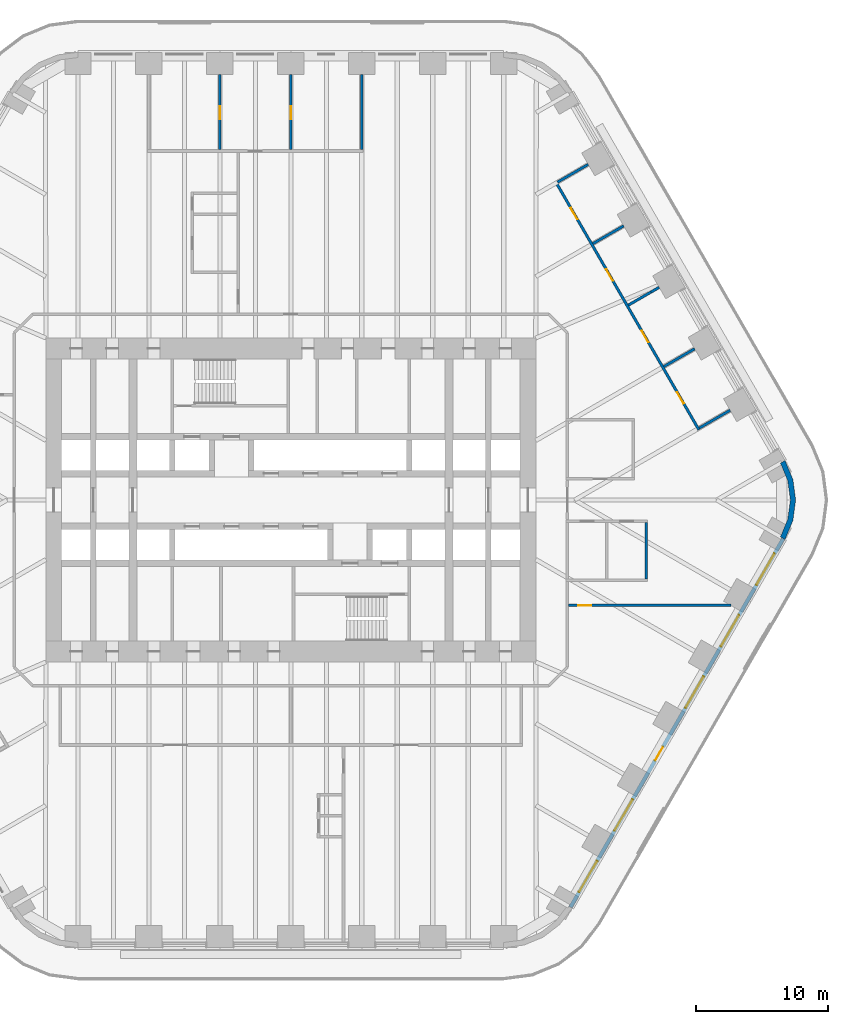
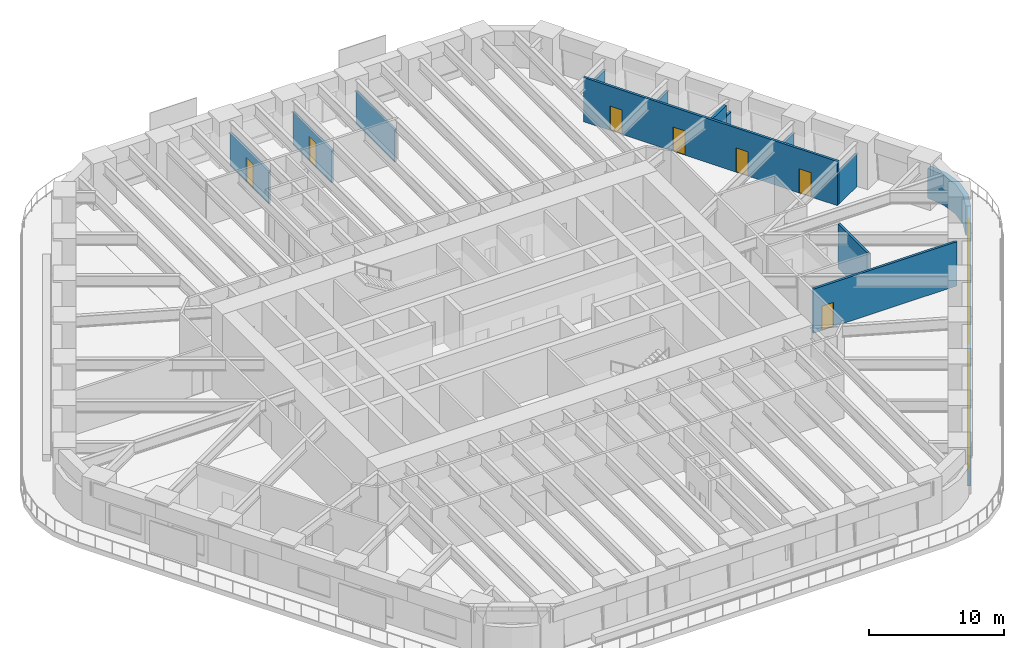
# One storey, part 20 of 24: 14 walls, 8 doors, 5 windows, 13 openings.
"""IFC4 building model written with IfcOpenShell, lengths in metres."""

from ifc_helpers import new_model, si_unit, direction, frame, frame_2d, origin, place, context, subcontext, project, spatial, polyline, rectangle, outline, extrude, material, layer, layer_set, type_object, element, fill, save


model = new_model("IFC4")

# Units and contexts
model_context = context("Model", 3, precision=1e-05, world=origin(), true_north=direction((0.0, 1.0)))
body_context = subcontext(model_context, "Body", "Model", "MODEL_VIEW")
ifc_project = project(units=[si_unit("LENGTHUNIT", "METRE"), si_unit("AREAUNIT", "SQUARE_METRE"), si_unit("VOLUMEUNIT", "CUBIC_METRE"), si_unit("PLANEANGLEUNIT", "RADIAN"), si_unit("MASSUNIT", "GRAM", prefix="KILO")], contexts=[model_context])

# Site, building, storey
site_placement = place(None, origin())
site = spatial("IfcSite", under=ifc_project, at=site_placement, CompositionType="ELEMENT")
building_placement = place(site_placement, origin())
building = spatial("IfcBuilding", under=site, at=building_placement, Name="Tarfa Lantern Tower", CompositionType="ELEMENT")
storey_placement = place(building_placement, frame((0.0, 0.0, 65.5)))
storey = spatial("IfcBuildingStorey", under=building, at=storey_placement, Name="L14", CompositionType="ELEMENT", Elevation=65.5)

# Wall, openings, door, windows
ifc_material_1 = material(Name="Limestone cladding on blockwork", Category="masonry")
ifc_layer_1 = layer(ifc_material_1, 0.300048828125)
ifc_layer_set_1 = layer_set([ifc_layer_1], Name="EW1 STONE-CLAD WALL 300")
wall_type_1 = type_object("IfcWallType", Name="EW1 STONE-CLAD WALL 300", PredefinedType="SOLIDWALL", material=ifc_layer_set_1)
wall_1_placement = place(storey_placement, frame((21.232177734375, -30.925048828125, 0.0), z_axis=(0.0, 0.0, 1.0), x_axis=(0.499999163675, 0.866025886636, 0.0)))
wall_1 = element("IfcWall", 1, at=wall_1_placement, inside=storey, type_object=wall_type_1, Name="Stone wall SE", PredefinedType="SOLIDWALL", context=body_context, shape_type="SweptSolid", body=[
    extrude(rectangle(XDim=32.33154296875, YDim=0.300048828125, at=frame_2d((16.165771484375, 0.0))), origin(), (0.0, 0.0, 1.0), 2.699951171875),
])
opening_1_placement = place(wall_1_placement, frame((1.3193359375, 0.0, 0.60009765625)))
opening_1 = element("IfcOpeningElement", 2, at=opening_1_placement, cuts=wall_1, Name="Opening W2", PredefinedType="OPENING", context=body_context, shape_type="SweptSolid", body=[
    extrude(rectangle(XDim=2.75, YDim=1.85009765625, at=frame_2d((1.375, 0.925048828125))), frame((0.0, 0.159912109375, 0.0), z_axis=(0.0, -1.0, 0.0), x_axis=(1.0, 0.0, 0.0)), (0.0, 0.0, 1.0), 0.320068359375),
])
opening_2_placement = place(wall_1_placement, frame((6.7080078125, 0.0, 0.60009765625)))
opening_2 = element("IfcOpeningElement", 3, at=opening_2_placement, cuts=wall_1, Name="Opening W2", PredefinedType="OPENING", context=body_context, shape_type="SweptSolid", body=[
    extrude(rectangle(XDim=2.75, YDim=1.85009765625, at=frame_2d((1.375, 0.925048828125))), frame((0.0, 0.159912109375, 0.0), z_axis=(0.0, -1.0, 0.0), x_axis=(1.0, 0.0, 0.0)), (0.0, 0.0, 1.0), 0.320068359375),
])
opening_3_placement = place(wall_1_placement, frame((12.87158203125, 0.0, 0.0)))
opening_3 = element("IfcOpeningElement", 4, at=opening_3_placement, cuts=wall_1, Name="Opening D55", PredefinedType="OPENING", context=body_context, shape_type="SweptSolid", body=[
    extrude(rectangle(XDim=1.199951171875, YDim=2.39990234375, at=frame_2d((0.60009765625, 1.199951171875))), frame((0.0, 0.159912109375, 0.0), z_axis=(0.0, -1.0, 0.0), x_axis=(1.0, 0.0, 0.0)), (0.0, 0.0, 1.0), 0.320068359375),
])
opening_4_placement = place(wall_1_placement, frame((17.485107421875, 0.0, 0.60009765625)))
opening_4 = element("IfcOpeningElement", 5, at=opening_4_placement, cuts=wall_1, Name="Opening W2", PredefinedType="OPENING", context=body_context, shape_type="SweptSolid", body=[
    extrude(rectangle(XDim=2.75, YDim=1.85009765625, at=frame_2d((1.375, 0.925048828125))), frame((0.0, 0.159912109375, 0.0), z_axis=(0.0, -1.0, 0.0), x_axis=(1.0, 0.0, 0.0)), (0.0, 0.0, 1.0), 0.320068359375),
])
opening_5_placement = place(wall_1_placement, frame((22.873779296875, 0.0, 0.60009765625)))
opening_5 = element("IfcOpeningElement", 6, at=opening_5_placement, cuts=wall_1, Name="Opening W2", PredefinedType="OPENING", context=body_context, shape_type="SweptSolid", body=[
    extrude(rectangle(XDim=2.75, YDim=1.85009765625, at=frame_2d((1.375, 0.925048828125))), frame((0.0, 0.159912109375, 0.0), z_axis=(0.0, -1.0, 0.0), x_axis=(1.0, 0.0, 0.0)), (0.0, 0.0, 1.0), 0.320068359375),
])
opening_6_placement = place(wall_1_placement, frame((28.26220703125, 0.0, 0.60009765625)))
opening_6 = element("IfcOpeningElement", 7, at=opening_6_placement, cuts=wall_1, Name="Opening W2", PredefinedType="OPENING", context=body_context, shape_type="SweptSolid", body=[
    extrude(rectangle(XDim=2.75, YDim=1.85009765625, at=frame_2d((1.375, 0.925048828125))), frame((0.0, 0.159912109375, 0.0), z_axis=(0.0, -1.0, 0.0), x_axis=(1.0, 0.0, 0.0)), (0.0, 0.0, 1.0), 0.320068359375),
])
ifc_material_2 = material(Name="Aluminium framed glazed door", Category="aluminium")
door_type_1 = type_object("IfcDoorType", Name="BE3 BALCONY DOOR 1200x2400", OperationType="SINGLE_SWING_RIGHT", PredefinedType="DOOR", material=ifc_material_2)
door_1_placement = place(opening_3_placement, origin())
door_1 = element("IfcDoor", 8, at=door_1_placement, inside=storey, type_object=door_type_1, Name="Balcony door SE", OperationType="SINGLE_SWING_RIGHT", OverallHeight=2.39990234375, OverallWidth=1.199951171875, PredefinedType="DOOR", context=body_context, shape_type="SweptSolid", body=[
    extrude(rectangle(XDim=1.199951171875, YDim=2.39990234375, at=frame_2d((0.60009765625, 1.199951171875))), frame((0.0, 0.02490234375, 0.0), z_axis=(0.0, -1.0, 0.0), x_axis=(1.0, 0.0, 0.0)), (0.0, 0.0, 1.0), 0.050048828125),
])
fill(opening_3, door_1)
ifc_material_3 = material(Name="Aluminium frame, double glazed", Category="aluminium")
window_type = type_object("IfcWindowType", Name="W2 FULL-HEIGHT GLAZING 2750x1850", PartitioningType="SINGLE_PANEL", PredefinedType="WINDOW", material=ifc_material_3)
window_1_placement = place(opening_1_placement, origin())
window_1 = element("IfcWindow", 9, at=window_1_placement, inside=storey, type_object=window_type, Name="Window SE 1", OverallHeight=1.85009765625, OverallWidth=2.75, PartitioningType="SINGLE_PANEL", PredefinedType="WINDOW", context=body_context, shape_type="SweptSolid", body=[
    extrude(rectangle(XDim=2.75, YDim=1.85009765625, at=frame_2d((1.375, 0.925048828125))), frame((0.0, 0.030029296875, 0.0), z_axis=(0.0, -1.0, 0.0), x_axis=(1.0, 0.0, 0.0)), (0.0, 0.0, 1.0), 0.06005859375),
])
fill(opening_1, window_1)
window_2_placement = place(opening_2_placement, origin())
window_2 = element("IfcWindow", 10, at=window_2_placement, inside=storey, type_object=window_type, Name="Window SE 2", OverallHeight=1.85009765625, OverallWidth=2.75, PartitioningType="SINGLE_PANEL", PredefinedType="WINDOW", context=body_context, shape_type="SweptSolid", body=[
    extrude(rectangle(XDim=2.75, YDim=1.85009765625, at=frame_2d((1.375, 0.925048828125))), frame((0.0, 0.030029296875, 0.0), z_axis=(0.0, -1.0, 0.0), x_axis=(1.0, 0.0, 0.0)), (0.0, 0.0, 1.0), 0.06005859375),
])
fill(opening_2, window_2)
window_3_placement = place(opening_4_placement, origin())
window_3 = element("IfcWindow", 11, at=window_3_placement, inside=storey, type_object=window_type, Name="Window SE 4", OverallHeight=1.85009765625, OverallWidth=2.75, PartitioningType="SINGLE_PANEL", PredefinedType="WINDOW", context=body_context, shape_type="SweptSolid", body=[
    extrude(rectangle(XDim=2.75, YDim=1.85009765625, at=frame_2d((1.375, 0.925048828125))), frame((0.0, 0.030029296875, 0.0), z_axis=(0.0, -1.0, 0.0), x_axis=(1.0, 0.0, 0.0)), (0.0, 0.0, 1.0), 0.06005859375),
])
fill(opening_4, window_3)
window_4_placement = place(opening_5_placement, origin())
window_4 = element("IfcWindow", 12, at=window_4_placement, inside=storey, type_object=window_type, Name="Window SE 5", OverallHeight=1.85009765625, OverallWidth=2.75, PartitioningType="SINGLE_PANEL", PredefinedType="WINDOW", context=body_context, shape_type="SweptSolid", body=[
    extrude(rectangle(XDim=2.75, YDim=1.85009765625, at=frame_2d((1.375, 0.925048828125))), frame((0.0, 0.030029296875, 0.0), z_axis=(0.0, -1.0, 0.0), x_axis=(1.0, 0.0, 0.0)), (0.0, 0.0, 1.0), 0.06005859375),
])
fill(opening_5, window_4)
window_5_placement = place(opening_6_placement, origin())
window_5 = element("IfcWindow", 13, at=window_5_placement, inside=storey, type_object=window_type, Name="Window SE 6", OverallHeight=1.85009765625, OverallWidth=2.75, PartitioningType="SINGLE_PANEL", PredefinedType="WINDOW", context=body_context, shape_type="SweptSolid", body=[
    extrude(rectangle(XDim=2.75, YDim=1.85009765625, at=frame_2d((1.375, 0.925048828125))), frame((0.0, 0.030029296875, 0.0), z_axis=(0.0, -1.0, 0.0), x_axis=(1.0, 0.0, 0.0)), (0.0, 0.0, 1.0), 0.06005859375),
])
fill(opening_6, window_5)

# Walls
ifc_layer_2 = layer(ifc_material_1, 0.39990234375)
ifc_layer_set_2 = layer_set([ifc_layer_2], Name="EW2 CURVED STONE CORNER 400")
wall_type_2 = type_object("IfcWallType", Name="EW2 CURVED STONE CORNER 400", PredefinedType="SOLIDWALL", material=ifc_layer_set_2)
wall_2_placement = place(storey_placement, origin())
element("IfcWall", 14, at=wall_2_placement, inside=storey, type_object=wall_type_2, Name="Stone corner SE-NE", PredefinedType="SOLIDWALL", context=body_context, shape_type="SweptSolid", body=[
    extrude(outline(polyline([(37.52783203125, -3.0), (38.127197265625, -1.552978515625), (38.33154296875, 0.0), (38.127197265625, 1.552978515625), (37.52783203125, 3.0), (37.181396484375, 2.800048828125), (37.74072265625, 1.449462890625), (37.931640625, 0.0), (37.74072265625, -1.449462890625), (37.181396484375, -2.800048828125), (37.52783203125, -3.0)])), origin(), (0.0, 0.0, 1.0), 2.699951171875),
])
ifc_material_4 = material(Name="Gypsum board on steel studs", Category="steel")
ifc_layer_3 = layer(ifc_material_4, 0.2099609375)
ifc_layer_set_3 = layer_set([ifc_layer_3], Name="IW2 ACOUSTIC PARTITION 200")
wall_type_3 = type_object("IfcWallType", Name="IW2 ACOUSTIC PARTITION 200", PredefinedType="PARTITIONING", material=ifc_layer_set_3)
wall_3_placement = place(storey_placement, frame((5.388671875, 26.60009765625, 0.0), z_axis=(0.0, 0.0, 1.0), x_axis=(0.0, 1.0, 0.0)))
element("IfcWall", 15, at=wall_3_placement, inside=storey, type_object=wall_type_3, Name="Partition", PredefinedType="PARTITIONING", context=body_context, shape_type="SweptSolid", body=[
    extrude(rectangle(XDim=5.699951171875, YDim=0.199951171875, at=frame_2d((2.85009765625, 0.0))), origin(), (0.0, 0.0, 1.0), 2.944091796875),
])

# Wall, opening, door
wall_4_placement = place(storey_placement, frame((0.0, 26.60009765625, 0.0), z_axis=(0.0, 0.0, 1.0), x_axis=(0.0, 1.0, 0.0)))
wall_4 = element("IfcWall", 16, at=wall_4_placement, inside=storey, type_object=wall_type_3, Name="Partition", PredefinedType="PARTITIONING", context=body_context, shape_type="SweptSolid", body=[
    extrude(rectangle(XDim=5.699951171875, YDim=0.199951171875, at=frame_2d((2.85009765625, 0.0))), origin(), (0.0, 0.0, 1.0), 2.944091796875),
])
opening_7_placement = place(wall_4_placement, frame((2.300048828125, 0.0, 0.0)))
opening_7 = element("IfcOpeningElement", 17, at=opening_7_placement, cuts=wall_4, Name="Opening D32", PredefinedType="OPENING", context=body_context, shape_type="SweptSolid", body=[
    extrude(rectangle(XDim=1.0, YDim=2.199951171875, at=frame_2d((0.5, 1.10009765625))), frame((0.0, 0.10986328125, 0.0), z_axis=(0.0, -1.0, 0.0), x_axis=(1.0, 0.0, 0.0)), (0.0, 0.0, 1.0), 0.219970703125),
])
ifc_material_5 = material(Name="Timber door", Category="wood")
door_type_2 = type_object("IfcDoorType", Name="DR1 ROOM DOOR 1000x2200", OperationType="SINGLE_SWING_LEFT", PredefinedType="DOOR", material=ifc_material_5)
door_2_placement = place(opening_7_placement, origin())
door_2 = element("IfcDoor", 18, at=door_2_placement, inside=storey, type_object=door_type_2, Name="Negotiation room door", OperationType="SINGLE_SWING_RIGHT", OverallHeight=2.199951171875, OverallWidth=1.0, PredefinedType="DOOR", context=body_context, shape_type="SweptSolid", body=[
    extrude(rectangle(XDim=1.0, YDim=2.199951171875, at=frame_2d((0.5, 1.10009765625))), frame((0.0, 0.02490234375, 0.0), z_axis=(0.0, -1.0, 0.0), x_axis=(1.0, 0.0, 0.0)), (0.0, 0.0, 1.0), 0.050048828125),
])
fill(opening_7, door_2)

wall_5_placement = place(storey_placement, frame((-5.388671875, 26.60009765625, 0.0), z_axis=(0.0, 0.0, 1.0), x_axis=(0.0, 1.0, 0.0)))
wall_5 = element("IfcWall", 19, at=wall_5_placement, inside=storey, type_object=wall_type_3, Name="Partition", PredefinedType="PARTITIONING", context=body_context, shape_type="SweptSolid", body=[
    extrude(rectangle(XDim=5.699951171875, YDim=0.199951171875, at=frame_2d((2.85009765625, 0.0))), origin(), (0.0, 0.0, 1.0), 2.944091796875),
])
opening_8_placement = place(wall_5_placement, frame((2.300048828125, 0.0, 0.0)))
opening_8 = element("IfcOpeningElement", 20, at=opening_8_placement, cuts=wall_5, Name="Opening D34", PredefinedType="OPENING", context=body_context, shape_type="SweptSolid", body=[
    extrude(rectangle(XDim=1.0, YDim=2.199951171875, at=frame_2d((0.5, 1.10009765625))), frame((0.0, 0.10986328125, 0.0), z_axis=(0.0, -1.0, 0.0), x_axis=(1.0, 0.0, 0.0)), (0.0, 0.0, 1.0), 0.219970703125),
])
door_3_placement = place(opening_8_placement, origin())
door_3 = element("IfcDoor", 21, at=door_3_placement, inside=storey, type_object=door_type_2, Name="Negotiation room door", OperationType="SINGLE_SWING_RIGHT", OverallHeight=2.199951171875, OverallWidth=1.0, PredefinedType="DOOR", context=body_context, shape_type="SweptSolid", body=[
    extrude(rectangle(XDim=1.0, YDim=2.199951171875, at=frame_2d((0.5, 1.10009765625))), frame((0.0, 0.02490234375, 0.0), z_axis=(0.0, -1.0, 0.0), x_axis=(1.0, 0.0, 0.0)), (0.0, 0.0, 1.0), 0.050048828125),
])
fill(opening_8, door_3)

# Wall, openings, doors
wall_6_placement = place(storey_placement, frame((30.986328125, 5.330078125, 0.0), z_axis=(0.0, 0.0, 1.0), x_axis=(-0.500000289772, 0.866025236485, 0.0)))
wall_6 = element("IfcWall", 22, at=wall_6_placement, inside=storey, type_object=wall_type_3, Name="Partition", PredefinedType="PARTITIONING", context=body_context, shape_type="SweptSolid", body=[
    extrude(rectangle(XDim=21.75439453125, YDim=0.199951171875, at=frame_2d((10.877197265625, 0.0))), origin(), (0.0, 0.0, 1.0), 4.0),
])
opening_9_placement = place(wall_6_placement, frame((2.294189453125, 0.0, 0.0)))
opening_9 = element("IfcOpeningElement", 23, at=opening_9_placement, cuts=wall_6, Name="Opening D35", PredefinedType="OPENING", context=body_context, shape_type="SweptSolid", body=[
    extrude(rectangle(XDim=1.0, YDim=2.199951171875, at=frame_2d((0.5, 1.10009765625))), frame((0.0, 0.10986328125, 0.0), z_axis=(0.0, -1.0, 0.0), x_axis=(1.0, 0.0, 0.0)), (0.0, 0.0, 1.0), 0.219970703125),
])
opening_10_placement = place(wall_6_placement, frame((7.682861328125, 0.0, 0.0)))
opening_10 = element("IfcOpeningElement", 24, at=opening_10_placement, cuts=wall_6, Name="Opening D36", PredefinedType="OPENING", context=body_context, shape_type="SweptSolid", body=[
    extrude(rectangle(XDim=1.0, YDim=2.199951171875, at=frame_2d((0.5, 1.10009765625))), frame((0.0, 0.10986328125, 0.0), z_axis=(0.0, -1.0, 0.0), x_axis=(1.0, 0.0, 0.0)), (0.0, 0.0, 1.0), 0.219970703125),
])
opening_11_placement = place(wall_6_placement, frame((13.071533203125, 0.0, 0.0)))
opening_11 = element("IfcOpeningElement", 25, at=opening_11_placement, cuts=wall_6, Name="Opening D37", PredefinedType="OPENING", context=body_context, shape_type="SweptSolid", body=[
    extrude(rectangle(XDim=1.0, YDim=2.199951171875, at=frame_2d((0.5, 1.10009765625))), frame((0.0, 0.10986328125, 0.0), z_axis=(0.0, -1.0, 0.0), x_axis=(1.0, 0.0, 0.0)), (0.0, 0.0, 1.0), 0.219970703125),
])
opening_12_placement = place(wall_6_placement, frame((18.460205078125, 0.0, 0.0)))
opening_12 = element("IfcOpeningElement", 26, at=opening_12_placement, cuts=wall_6, Name="Opening D38", PredefinedType="OPENING", context=body_context, shape_type="SweptSolid", body=[
    extrude(rectangle(XDim=1.0, YDim=2.199951171875, at=frame_2d((0.5, 1.10009765625))), frame((0.0, 0.10986328125, 0.0), z_axis=(0.0, -1.0, 0.0), x_axis=(1.0, 0.0, 0.0)), (0.0, 0.0, 1.0), 0.219970703125),
])
door_4_placement = place(opening_9_placement, frame((1.0, 0.0, 0.0), z_axis=(0.0, 0.0, 1.0), x_axis=(-1.0, 0.0, 0.0)))
door_4 = element("IfcDoor", 27, at=door_4_placement, inside=storey, type_object=door_type_2, Name="Buyer's office door", OperationType="SINGLE_SWING_LEFT", OverallHeight=2.199951171875, OverallWidth=1.0, PredefinedType="DOOR", context=body_context, shape_type="SweptSolid", body=[
    extrude(rectangle(XDim=1.0, YDim=2.199951171875, at=frame_2d((0.5, 1.10009765625))), frame((0.0, 0.02490234375, 0.0), z_axis=(0.0, -1.0, 0.0), x_axis=(1.0, 0.0, 0.0)), (0.0, 0.0, 1.0), 0.050048828125),
])
fill(opening_9, door_4)
door_5_placement = place(opening_10_placement, frame((1.0, 0.0, 0.0), z_axis=(0.0, 0.0, 1.0), x_axis=(-1.0, 0.0, 0.0)))
door_5 = element("IfcDoor", 28, at=door_5_placement, inside=storey, type_object=door_type_2, Name="Buyer's office door", OperationType="SINGLE_SWING_LEFT", OverallHeight=2.199951171875, OverallWidth=1.0, PredefinedType="DOOR", context=body_context, shape_type="SweptSolid", body=[
    extrude(rectangle(XDim=1.0, YDim=2.199951171875, at=frame_2d((0.5, 1.10009765625))), frame((0.0, 0.02490234375, 0.0), z_axis=(0.0, -1.0, 0.0), x_axis=(1.0, 0.0, 0.0)), (0.0, 0.0, 1.0), 0.050048828125),
])
fill(opening_10, door_5)
door_6_placement = place(opening_11_placement, frame((1.0, 0.0, 0.0), z_axis=(0.0, 0.0, 1.0), x_axis=(-1.0, 0.0, 0.0)))
door_6 = element("IfcDoor", 29, at=door_6_placement, inside=storey, type_object=door_type_2, Name="Buyer's office door", OperationType="SINGLE_SWING_RIGHT", OverallHeight=2.199951171875, OverallWidth=1.0, PredefinedType="DOOR", context=body_context, shape_type="SweptSolid", body=[
    extrude(rectangle(XDim=1.0, YDim=2.199951171875, at=frame_2d((0.5, 1.10009765625))), frame((0.0, 0.02490234375, 0.0), z_axis=(0.0, -1.0, 0.0), x_axis=(1.0, 0.0, 0.0)), (0.0, 0.0, 1.0), 0.050048828125),
])
fill(opening_11, door_6)
door_7_placement = place(opening_12_placement, frame((1.0, 0.0, 0.0), z_axis=(0.0, 0.0, 1.0), x_axis=(-1.0, 0.0, 0.0)))
door_7 = element("IfcDoor", 30, at=door_7_placement, inside=storey, type_object=door_type_2, Name="Buyer's office door", OperationType="SINGLE_SWING_RIGHT", OverallHeight=2.199951171875, OverallWidth=1.0, PredefinedType="DOOR", context=body_context, shape_type="SweptSolid", body=[
    extrude(rectangle(XDim=1.0, YDim=2.199951171875, at=frame_2d((0.5, 1.10009765625))), frame((0.0, 0.02490234375, 0.0), z_axis=(0.0, -1.0, 0.0), x_axis=(1.0, 0.0, 0.0)), (0.0, 0.0, 1.0), 0.050048828125),
])
fill(opening_12, door_7)

# Walls
for number, where, z_axis, x_axis, name in (
    (31, (31.02294921875, 5.466552734375, 0.0), (0.0, 0.0, 1.0), (0.866019956843, 0.50000943426, 0.0), "Partition"),
    (32, (28.32861328125, 10.13330078125, 0.0), (0.0, 0.0, 1.0), (0.866019956843, 0.50000943426, 0.0), "Partition"),
):
    element("IfcWall", number, at=place(storey_placement, frame(where, z_axis=z_axis, x_axis=x_axis)), inside=storey, type_object=wall_type_3, Name=name, PredefinedType="PARTITIONING", context=body_context, shape_type="SweptSolid", body=[
        extrude(rectangle(XDim=2.7001953125, YDim=0.199951171875, at=frame_2d((1.35009765625, 0.0))), origin(), (0.0, 0.0, 1.0), 2.944091796875),
    ])
wall_7_placement = place(storey_placement, frame((25.63427734375, 14.800048828125, 0.0), z_axis=(0.0, 0.0, 1.0), x_axis=(0.866038008192, 0.49997816789, 0.0)))
element("IfcWall", 33, at=wall_7_placement, inside=storey, type_object=wall_type_3, Name="Partition", PredefinedType="PARTITIONING", context=body_context, shape_type="SweptSolid", body=[
    extrude(rectangle(XDim=1.9833984375, YDim=0.199951171875, at=frame_2d((0.99169921875, 0.0))), origin(), (0.0, 0.0, 1.0), 4.0),
])
wall_8_placement = place(storey_placement, frame((27.35205078125, 15.791748046875, 0.0), z_axis=(0.0, 0.0, 1.0), x_axis=(0.866117509073, 0.499840435016, 0.0)))
element("IfcWall", 34, at=wall_8_placement, inside=storey, type_object=wall_type_3, Name="Partition", PredefinedType="PARTITIONING", context=body_context, shape_type="SweptSolid", body=[
    extrude(rectangle(XDim=0.716552734375, YDim=0.199951171875, at=frame_2d((0.3583984375, 0.0))), origin(), (0.0, 0.0, 1.0), 2.991943359375),
])
wall_9_placement = place(storey_placement, frame((22.93994140625, 19.466552734375, 0.0), z_axis=(0.0, 0.0, 1.0), x_axis=(0.866019956843, 0.50000943426, 0.0)))
element("IfcWall", 35, at=wall_9_placement, inside=storey, type_object=wall_type_3, Name="Partition", PredefinedType="PARTITIONING", context=body_context, shape_type="SweptSolid", body=[
    extrude(rectangle(XDim=2.7001953125, YDim=0.199951171875, at=frame_2d((1.35009765625, 0.0))), origin(), (0.0, 0.0, 1.0), 2.991943359375),
])
wall_10_placement = place(storey_placement, frame((20.245849609375, 24.13330078125, 0.0), z_axis=(0.0, 0.0, 1.0), x_axis=(0.86599734893, 0.500048589285, 0.0)))
element("IfcWall", 36, at=wall_10_placement, inside=storey, type_object=wall_type_3, Name="Partition", PredefinedType="PARTITIONING", context=body_context, shape_type="SweptSolid", body=[
    extrude(rectangle(XDim=2.699951171875, YDim=0.199951171875, at=frame_2d((1.35009765625, 0.0))), origin(), (0.0, 0.0, 1.0), 2.991943359375),
])
wall_11_placement = place(storey_placement, frame((27.0, -1.699951171875, 0.0), z_axis=(0.0, 0.0, 1.0), x_axis=(0.0, -1.0, 0.0)))
element("IfcWall", 37, at=wall_11_placement, inside=storey, type_object=wall_type_3, Name="Partition", PredefinedType="PARTITIONING", context=body_context, shape_type="SweptSolid", body=[
    extrude(rectangle(XDim=4.300048828125, YDim=0.199951171875, at=frame_2d((2.14990234375, 0.0))), origin(), (0.0, 0.0, 1.0), 4.0),
])

# Wall, opening, door
wall_12_placement = place(storey_placement, frame((21.10009765625, -8.0, 0.0), z_axis=(0.0, 0.0, 1.0), x_axis=(1.0, 0.0, 0.0)))
wall_12 = element("IfcWall", 38, at=wall_12_placement, inside=storey, type_object=wall_type_3, Name="Partition", PredefinedType="PARTITIONING", context=body_context, shape_type="SweptSolid", body=[
    extrude(rectangle(XDim=12.310791015625, YDim=0.199951171875, at=frame_2d((6.1552734375, 0.0))), origin(), (0.0, 0.0, 1.0), 4.0),
])
opening_13_placement = place(wall_12_placement, frame((0.731201171875, 0.0, 0.0)))
opening_13 = element("IfcOpeningElement", 39, at=opening_13_placement, cuts=wall_12, Name="Opening D50", PredefinedType="OPENING", context=body_context, shape_type="SweptSolid", body=[
    extrude(rectangle(XDim=1.0, YDim=2.199951171875, at=frame_2d((0.5, 1.10009765625))), frame((0.0, 0.10986328125, 0.0), z_axis=(0.0, -1.0, 0.0), x_axis=(1.0, 0.0, 0.0)), (0.0, 0.0, 1.0), 0.219970703125),
])
door_8_placement = place(opening_13_placement, frame((1.0, 0.0, 0.0), z_axis=(0.0, 0.0, 1.0), x_axis=(-1.0, 0.0, 0.0)))
door_8 = element("IfcDoor", 40, at=door_8_placement, inside=storey, type_object=door_type_2, Name="Zone door", OperationType="SINGLE_SWING_LEFT", OverallHeight=2.199951171875, OverallWidth=1.0, PredefinedType="DOOR", context=body_context, shape_type="SweptSolid", body=[
    extrude(rectangle(XDim=1.0, YDim=2.199951171875, at=frame_2d((0.5, 1.10009765625))), frame((0.0, 0.02490234375, 0.0), z_axis=(0.0, -1.0, 0.0), x_axis=(1.0, 0.0, 0.0)), (0.0, 0.0, 1.0), 0.050048828125),
])
fill(opening_13, door_8)

save(model, "model.ifc")
